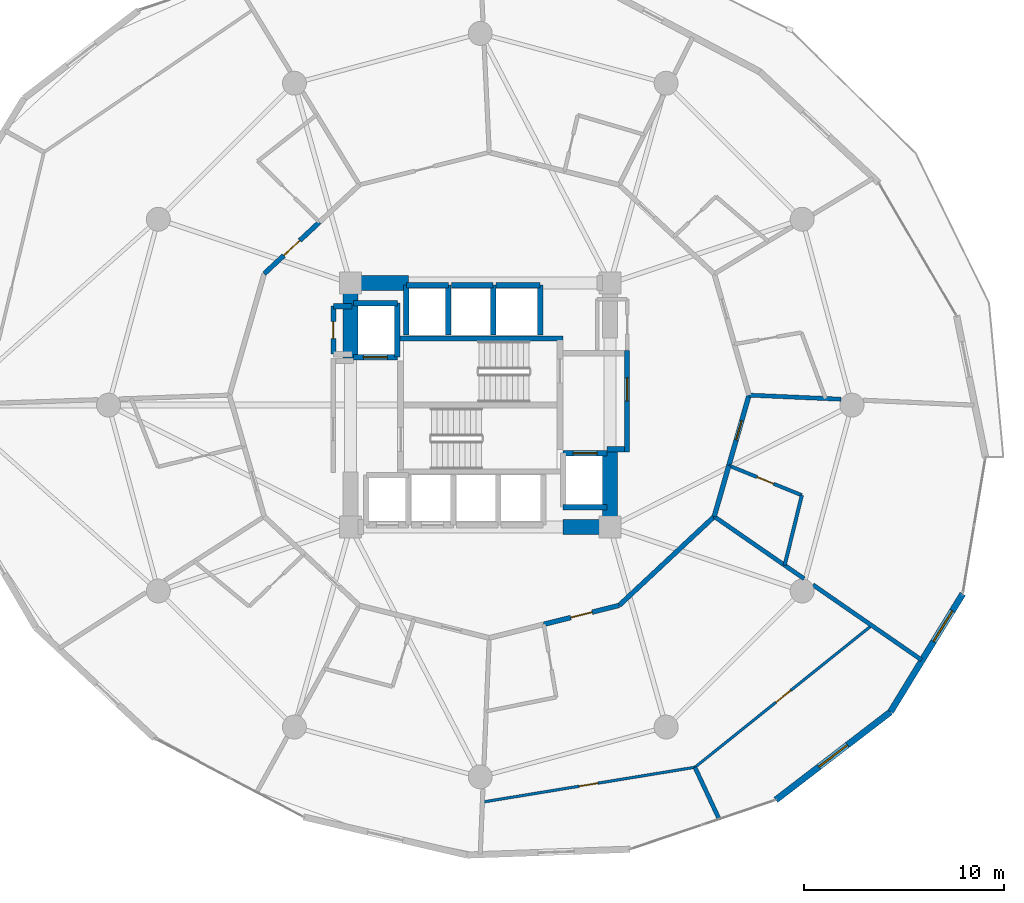
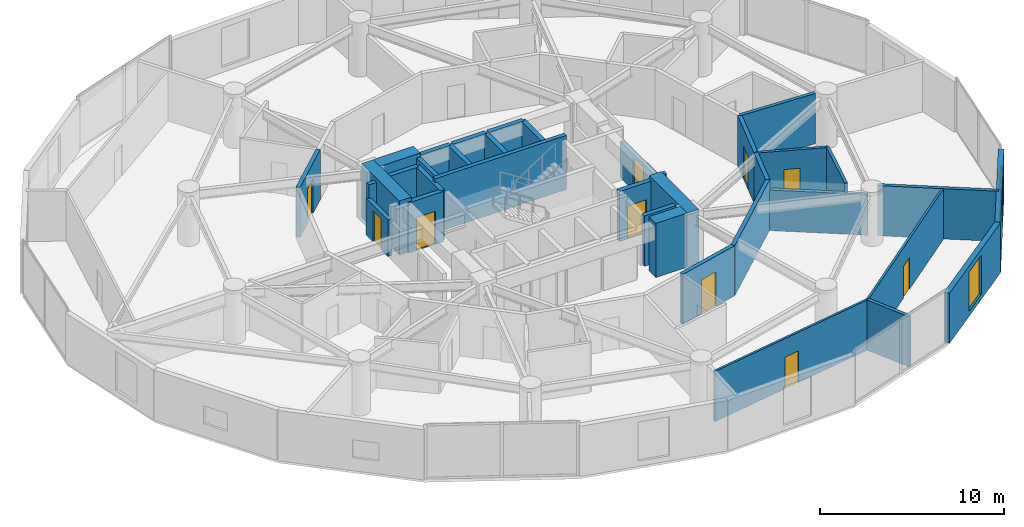
# One storey, part 19 of 23: 36 walls, 10 doors, 2 windows, 12 openings.
"""IFC4 building model written with IfcOpenShell, lengths in metres."""

from ifc_helpers import new_model, si_unit, direction, frame, frame_2d, origin, place, context, subcontext, project, spatial, rectangle, extrude, material, layer, layer_set, type_object, element, fill, save


model = new_model("IFC4")

# Units and contexts
model_context = context("Model", 3, precision=1e-05, world=origin(), true_north=direction((0.0, 1.0)))
body_context = subcontext(model_context, "Body", "Model", "MODEL_VIEW")
ifc_project = project(units=[si_unit("LENGTHUNIT", "METRE"), si_unit("AREAUNIT", "SQUARE_METRE"), si_unit("VOLUMEUNIT", "CUBIC_METRE"), si_unit("PLANEANGLEUNIT", "RADIAN"), si_unit("MASSUNIT", "GRAM", prefix="KILO")], contexts=[model_context])

# Site, building, storey
site_placement = place(None, origin())
site = spatial("IfcSite", under=ifc_project, at=site_placement, CompositionType="ELEMENT")
building_placement = place(site_placement, origin())
building = spatial("IfcBuilding", under=site, at=building_placement, Name="Solvirekh Grand Hotel", CompositionType="ELEMENT")
storey_placement = place(building_placement, frame((0.0, 0.0, 75.199951171875)))
storey = spatial("IfcBuildingStorey", under=building, at=storey_placement, Name="L18", CompositionType="ELEMENT", Elevation=75.199951171875)

# Walls
ifc_material_1 = material(Name="Concrete C50/60", Category="concrete")
ifc_layer_1 = layer(ifc_material_1, 0.35009765625)
ifc_layer_set_1 = layer_set([ifc_layer_1], Name="Concrete C50/60")
wall_type_1 = type_object("IfcWallType", Name="CoreDivWall_RC350", PredefinedType="SOLIDWALL", material=ifc_layer_set_1)
wall_1_placement = place(storey_placement, frame((-4.1298828125, 3.324951171875, 0.0), z_axis=(0.0, 0.0, 1.0), x_axis=(1.0, 0.0, 0.0)))
element("IfcWall", 1, at=wall_1_placement, inside=storey, type_object=wall_type_1, Name="L18 core stair box wall ST-N", PredefinedType="SOLIDWALL", context=body_context, shape_type="SweptSolid", body=[
    extrude(rectangle(XDim=8.259765625, YDim=0.25, at=frame_2d((4.1298828125, 0.0))), origin(), (0.0, 0.0, 1.0), 3.60009765625),
])
ifc_material_2 = material(Name="Concrete C40/50", Category="concrete")
ifc_layer_2 = layer(ifc_material_2, 0.280029296875)
ifc_layer_set_2 = layer_set([ifc_layer_2], Name="Concrete C40/50")
wall_type_2 = type_object("IfcWallType", Name="CoreShaftWall_RC280", PredefinedType="SOLIDWALL", material=ifc_layer_set_2)
wall_2_placement = place(storey_placement, frame((-1.60009765625, 6.0, 0.0), z_axis=(0.0, 0.0, 1.0), x_axis=(-1.0, 0.0, 0.0)))
element("IfcWall", 2, at=wall_2_placement, inside=storey, type_object=wall_type_2, Name="L18 HP-1 hoistway N wall", PredefinedType="SOLIDWALL", context=body_context, shape_type="SweptSolid", body=[
    extrude(rectangle(XDim=2.099853515625, YDim=0.280029296875, at=frame_2d((1.0498046875, 0.0))), origin(), (0.0, 0.0, 1.0), 3.340087890625),
])
for number, where, z_axis, x_axis, name in (
    (3, (-3.699951171875, 6.0, 0.0), (0.0, 0.0, 1.0), (0.0, -1.0, 0.0), "L18 HP-1 hoistway W wall"),
    (4, (-1.60009765625, 3.5, 0.0), (0.0, 0.0, 1.0), (0.0, 1.0, 0.0), "L18 HP-1 hoistway E wall"),
):
    element("IfcWall", number, at=place(storey_placement, frame(where, z_axis=z_axis, x_axis=x_axis)), inside=storey, type_object=wall_type_2, Name=name, PredefinedType="SOLIDWALL", context=body_context, shape_type="SweptSolid", body=[
        extrude(rectangle(XDim=2.5, YDim=0.280029296875, at=frame_2d((1.25, 0.0))), origin(), (0.0, 0.0, 1.0), 3.340087890625),
    ])
wall_3_placement = place(storey_placement, frame((0.64990234375, 6.0, 0.0), z_axis=(0.0, 0.0, 1.0), x_axis=(-1.0, 0.0, 0.0)))
element("IfcWall", 5, at=wall_3_placement, inside=storey, type_object=wall_type_2, Name="L18 HP-2 hoistway N wall", PredefinedType="SOLIDWALL", context=body_context, shape_type="SweptSolid", body=[
    extrude(rectangle(XDim=2.099853515625, YDim=0.280029296875, at=frame_2d((1.0498046875, 0.0))), origin(), (0.0, 0.0, 1.0), 3.340087890625),
])
wall_4_placement = place(storey_placement, frame((0.64990234375, 3.5, 0.0), z_axis=(0.0, 0.0, 1.0), x_axis=(0.0, 1.0, 0.0)))
element("IfcWall", 6, at=wall_4_placement, inside=storey, type_object=wall_type_2, Name="L18 HP-2 hoistway E wall", PredefinedType="SOLIDWALL", context=body_context, shape_type="SweptSolid", body=[
    extrude(rectangle(XDim=2.5, YDim=0.280029296875, at=frame_2d((1.25, 0.0))), origin(), (0.0, 0.0, 1.0), 3.340087890625),
])
wall_5_placement = place(storey_placement, frame((3.0, 6.0, 0.0), z_axis=(0.0, 0.0, 1.0), x_axis=(-1.0, 0.0, 0.0)))
element("IfcWall", 7, at=wall_5_placement, inside=storey, type_object=wall_type_2, Name="L18 EX-1 hoistway N wall", PredefinedType="SOLIDWALL", context=body_context, shape_type="SweptSolid", body=[
    extrude(rectangle(XDim=2.199951171875, YDim=0.280029296875, at=frame_2d((1.10009765625, 0.0))), origin(), (0.0, 0.0, 1.0), 3.340087890625),
])
wall_6_placement = place(storey_placement, frame((3.0, 3.5, 0.0), z_axis=(0.0, 0.0, 1.0), x_axis=(0.0, 1.0, 0.0)))
element("IfcWall", 8, at=wall_6_placement, inside=storey, type_object=wall_type_2, Name="L18 EX-1 hoistway E wall", PredefinedType="SOLIDWALL", context=body_context, shape_type="SweptSolid", body=[
    extrude(rectangle(XDim=2.5, YDim=0.280029296875, at=frame_2d((1.25, 0.0))), origin(), (0.0, 0.0, 1.0), 3.340087890625),
])

# Wall, opening, door
wall_7_placement = place(storey_placement, frame((-6.35009765625, 2.39990234375, 0.0), z_axis=(0.0, 0.0, 1.0), x_axis=(1.0, 0.0, 0.0)))
wall_7 = element("IfcWall", 9, at=wall_7_placement, inside=storey, type_object=wall_type_2, Name="L18 FL-1 hoistway S wall", PredefinedType="SOLIDWALL", context=body_context, shape_type="SweptSolid", body=[
    extrude(rectangle(XDim=2.2001953125, YDim=0.280029296875, at=frame_2d((1.10009765625, 0.0))), origin(), (0.0, 0.0, 1.0), 3.340087890625),
])
opening_1_placement = place(wall_7_placement, frame((0.5, 0.0, 0.0)))
opening_1 = element("IfcOpeningElement", 10, at=opening_1_placement, cuts=wall_7, Name="Opening LD02", PredefinedType="OPENING", context=body_context, shape_type="SweptSolid", body=[
    extrude(rectangle(XDim=1.199951171875, YDim=2.199951171875, at=frame_2d((0.60009765625, 1.10009765625))), frame((0.0, 0.14990234375, 0.0), z_axis=(0.0, -1.0, 0.0), x_axis=(1.0, 0.0, 0.0)), (0.0, 0.0, 1.0), 0.300048828125),
])
ifc_material_3 = material(Name="Fire-Rated Steel Door Assembly", Category="steel")
door_type_1 = type_object("IfcDoorType", Name="Door_LiftFF_1200X2200", OperationType="SLIDING_TO_LEFT", PredefinedType="DOOR", material=ifc_material_3)
door_1_placement = place(opening_1_placement, origin())
door_1 = element("IfcDoor", 11, at=door_1_placement, inside=storey, type_object=door_type_1, Name="L18 FL-1 sliding lift landing door", OperationType="SLIDING_TO_LEFT", OverallHeight=2.199951171875, OverallWidth=1.199951171875, PredefinedType="DOOR", context=body_context, shape_type="SweptSolid", body=[
    extrude(rectangle(XDim=1.199951171875, YDim=2.199951171875, at=frame_2d((0.60009765625, 1.10009765625))), frame((0.0, 0.02490234375, 0.0), z_axis=(0.0, -1.0, 0.0), x_axis=(1.0, 0.0, 0.0)), (0.0, 0.0, 1.0), 0.050048828125),
])
fill(opening_1, door_1)

# Walls
wall_8_placement = place(storey_placement, frame((-4.14990234375, 5.10009765625, 0.0), z_axis=(0.0, 0.0, 1.0), x_axis=(-1.0, 0.0, 0.0)))
element("IfcWall", 12, at=wall_8_placement, inside=storey, type_object=wall_type_2, Name="L18 FL-1 hoistway N wall", PredefinedType="SOLIDWALL", context=body_context, shape_type="SweptSolid", body=[
    extrude(rectangle(XDim=2.2001953125, YDim=0.280029296875, at=frame_2d((1.10009765625, 0.0))), origin(), (0.0, 0.0, 1.0), 3.340087890625),
])
wall_9_placement = place(storey_placement, frame((-4.14990234375, 2.39990234375, 0.0), z_axis=(0.0, 0.0, 1.0), x_axis=(0.0, 1.0, 0.0)))
element("IfcWall", 13, at=wall_9_placement, inside=storey, type_object=wall_type_2, Name="L18 FL-1 hoistway E wall", PredefinedType="SOLIDWALL", context=body_context, shape_type="SweptSolid", body=[
    extrude(rectangle(XDim=2.7001953125, YDim=0.280029296875, at=frame_2d((1.35009765625, 0.0))), origin(), (0.0, 0.0, 1.0), 3.340087890625),
])
wall_10_placement = place(storey_placement, frame((4.14990234375, -5.10009765625, 0.0), z_axis=(0.0, 0.0, 1.0), x_axis=(1.0, 0.0, 0.0)))
element("IfcWall", 14, at=wall_10_placement, inside=storey, type_object=wall_type_2, Name="L18 FL-2 hoistway S wall", PredefinedType="SOLIDWALL", context=body_context, shape_type="SweptSolid", body=[
    extrude(rectangle(XDim=2.2001953125, YDim=0.280029296875, at=frame_2d((1.10009765625, 0.0))), origin(), (0.0, 0.0, 1.0), 3.340087890625),
])

# Wall, opening, door
wall_11_placement = place(storey_placement, frame((6.35009765625, -2.39990234375, 0.0), z_axis=(0.0, 0.0, 1.0), x_axis=(-1.0, 0.0, 0.0)))
wall_11 = element("IfcWall", 15, at=wall_11_placement, inside=storey, type_object=wall_type_2, Name="L18 FL-2 hoistway N wall", PredefinedType="SOLIDWALL", context=body_context, shape_type="SweptSolid", body=[
    extrude(rectangle(XDim=2.2001953125, YDim=0.280029296875, at=frame_2d((1.10009765625, 0.0))), origin(), (0.0, 0.0, 1.0), 3.340087890625),
])
opening_2_placement = place(wall_11_placement, frame((0.5, 0.0, 0.0)))
opening_2 = element("IfcOpeningElement", 16, at=opening_2_placement, cuts=wall_11, Name="Opening LD02", PredefinedType="OPENING", context=body_context, shape_type="SweptSolid", body=[
    extrude(rectangle(XDim=1.199951171875, YDim=2.199951171875, at=frame_2d((0.60009765625, 1.10009765625))), frame((0.0, 0.14990234375, 0.0), z_axis=(0.0, -1.0, 0.0), x_axis=(1.0, 0.0, 0.0)), (0.0, 0.0, 1.0), 0.300048828125),
])
door_2_placement = place(opening_2_placement, origin())
door_2 = element("IfcDoor", 17, at=door_2_placement, inside=storey, type_object=door_type_1, Name="L18 FL-2 sliding lift landing door", OperationType="SLIDING_TO_LEFT", OverallHeight=2.199951171875, OverallWidth=1.199951171875, PredefinedType="DOOR", context=body_context, shape_type="SweptSolid", body=[
    extrude(rectangle(XDim=1.199951171875, YDim=2.199951171875, at=frame_2d((0.60009765625, 1.10009765625))), frame((0.0, 0.02490234375, 0.0), z_axis=(0.0, -1.0, 0.0), x_axis=(1.0, 0.0, 0.0)), (0.0, 0.0, 1.0), 0.050048828125),
])
fill(opening_2, door_2)

# Walls
ifc_material_4 = material(Name="Concrete C60/75", Category="concrete")
ifc_layer_3 = layer(ifc_material_4, 0.75)
ifc_layer_set_3 = layer_set([ifc_layer_3], Name="Concrete C60/75")
wall_type_3 = type_object("IfcWallType", Name="CoreWall_RC750", PredefinedType="SHEAR", material=ifc_layer_set_3)
wall_12_placement = place(storey_placement, frame((4.14990234375, -6.10009765625, 0.0), z_axis=(0.0, 0.0, 1.0), x_axis=(1.0, 0.0, 0.0)))
element("IfcWall", 18, at=wall_12_placement, inside=storey, type_object=wall_type_3, Name="L18 core corner shear wall SE-S", PredefinedType="SHEAR", context=body_context, shape_type="SweptSolid", body=[
    extrude(rectangle(XDim=1.97509765625, YDim=0.75, at=frame_2d((0.987548828125, 0.0))), origin(), (0.0, 0.0, 1.0), 3.60009765625),
])
wall_13_placement = place(storey_placement, frame((-6.125, 6.10009765625, 0.0), z_axis=(0.0, 0.0, 1.0), x_axis=(1.0, 0.0, 0.0)))
element("IfcWall", 19, at=wall_13_placement, inside=storey, type_object=wall_type_3, Name="L18 core corner shear wall NW-N", PredefinedType="SHEAR", context=body_context, shape_type="SweptSolid", body=[
    extrude(rectangle(XDim=2.52490234375, YDim=0.75, at=frame_2d((1.262451171875, 0.0))), origin(), (0.0, 0.0, 1.0), 3.60009765625),
])
for number, where, z_axis, x_axis, name in (
    (20, (-6.5, 2.35009765625, 0.0), (0.0, 0.0, 1.0), (0.0, 1.0, 0.0), "L18 core corner shear wall WN-W"),
    (21, (6.5, -6.47509765625, 0.0), (0.0, 0.0, 1.0), (0.0, 1.0, 0.0), "L18 core corner shear wall ES-E"),
):
    element("IfcWall", number, at=place(storey_placement, frame(where, z_axis=z_axis, x_axis=x_axis)), inside=storey, type_object=wall_type_3, Name=name, PredefinedType="SHEAR", context=body_context, shape_type="SweptSolid", body=[
        extrude(rectangle(XDim=4.125, YDim=0.75, at=frame_2d((2.0625, 0.0))), origin(), (0.0, 0.0, 1.0), 3.60009765625),
    ])

# Wall, opening, window
ifc_material_5 = material(Name="Precast concrete C45/55", Category="concrete")
ifc_layer_4 = layer(ifc_material_5, 0.320068359375)
ifc_layer_set_4 = layer_set([ifc_layer_4], Name="Precast concrete C45/55")
wall_type_4 = type_object("IfcWallType", Name="ExtLobbyWall_RC320", PredefinedType="SOLIDWALL", material=ifc_layer_set_4)
wall_14_placement = place(storey_placement, frame((20.527099609375, -15.35302734375, 0.0), z_axis=(0.0, 0.0, 1.0), x_axis=(-0.793329795388, -0.608792112095, 0.0)))
wall_14 = element("IfcWall", 22, at=wall_14_placement, inside=storey, type_object=wall_type_4, Name="L18 exterior structural wall chord 19", PredefinedType="SOLIDWALL", context=body_context, shape_type="SweptSolid", body=[
    extrude(rectangle(XDim=7.234130859375, YDim=0.320068359375, at=frame_2d((3.6171875, 0.0))), origin(), (0.0, 0.0, 1.0), 3.340087890625),
])
opening_3_placement = place(wall_14_placement, frame((2.717041015625, 0.0, 0.35009765625)))
opening_3 = element("IfcOpeningElement", 23, at=opening_3_placement, cuts=wall_14, Name="Opening W02", PredefinedType="OPENING", context=body_context, shape_type="SweptSolid", body=[
    extrude(rectangle(XDim=1.800048828125, YDim=2.60009765625, at=frame_2d((0.89990234375, 1.300048828125))), frame((0.0, 0.169921875, 0.0), z_axis=(0.0, -1.0, 0.0), x_axis=(1.0, 0.0, 0.0)), (0.0, 0.0, 1.0), 0.340087890625),
])
ifc_material_6 = material(Name="Low-E Tinted Bronze Laminated Glass", Category="aluminium")
window_type = type_object("IfcWindowType", Name="Win_LobbyExt_1800X2600", PartitioningType="SINGLE_PANEL", PredefinedType="WINDOW", material=ifc_material_6)
window_1_placement = place(opening_3_placement, origin())
window_1 = element("IfcWindow", 24, at=window_1_placement, inside=storey, type_object=window_type, Name="L18 panoramic bronze-framed window 19", OverallHeight=2.60009765625, OverallWidth=1.800048828125, PartitioningType="SINGLE_PANEL", PredefinedType="WINDOW", context=body_context, shape_type="SweptSolid", body=[
    extrude(rectangle(XDim=1.800048828125, YDim=2.60009765625, at=frame_2d((0.89990234375, 1.300048828125))), frame((0.0, 0.030029296875, 0.0), z_axis=(0.0, -1.0, 0.0), x_axis=(1.0, 0.0, 0.0)), (0.0, 0.0, 1.0), 0.06005859375),
])
fill(opening_3, window_1)

wall_15_placement = place(storey_placement, frame((24.14306640625, -9.447021484375, 0.0), z_axis=(0.0, 0.0, 1.0), x_axis=(-0.522158569524, -0.852848420455, 0.0)))
wall_15 = element("IfcWall", 25, at=wall_15_placement, inside=storey, type_object=wall_type_4, Name="L18 exterior structural wall chord 20", PredefinedType="SOLIDWALL", context=body_context, shape_type="SweptSolid", body=[
    extrude(rectangle(XDim=6.925048828125, YDim=0.320068359375, at=frame_2d((3.46240234375, 0.0))), origin(), (0.0, 0.0, 1.0), 3.340087890625),
])
opening_4_placement = place(wall_15_placement, frame((0.99609375, 0.0, 0.35009765625)))
opening_4 = element("IfcOpeningElement", 26, at=opening_4_placement, cuts=wall_15, Name="Opening W02", PredefinedType="OPENING", context=body_context, shape_type="SweptSolid", body=[
    extrude(rectangle(XDim=1.800048828125, YDim=2.60009765625, at=frame_2d((0.89990234375, 1.300048828125))), frame((0.0, 0.169921875, 0.0), z_axis=(0.0, -1.0, 0.0), x_axis=(1.0, 0.0, 0.0)), (0.0, 0.0, 1.0), 0.340087890625),
])
window_2_placement = place(opening_4_placement, origin())
window_2 = element("IfcWindow", 27, at=window_2_placement, inside=storey, type_object=window_type, Name="L18 panoramic bronze-framed window 20", OverallHeight=2.60009765625, OverallWidth=1.800048828125, PartitioningType="SINGLE_PANEL", PredefinedType="WINDOW", context=body_context, shape_type="SweptSolid", body=[
    extrude(rectangle(XDim=1.800048828125, YDim=2.60009765625, at=frame_2d((0.89990234375, 1.300048828125))), frame((0.0, 0.030029296875, 0.0), z_axis=(0.0, -1.0, 0.0), x_axis=(1.0, 0.0, 0.0)), (0.0, 0.0, 1.0), 0.06005859375),
])
fill(opening_4, window_2)

# Wall, opening, door
ifc_material_7 = material(Name="Acoustic Gypsum Partition Assembly")
ifc_layer_5 = layer(ifc_material_7, 0.239990234375)
ifc_layer_set_5 = layer_set([ifc_layer_5], Name="Acoustic Gypsum Partition Assembly")
wall_type_5 = type_object("IfcWallType", Name="Part_Corridor_240", PredefinedType="PARTITIONING", material=ifc_layer_set_5)
wall_16_placement = place(storey_placement, frame((7.35009765625, -2.340087890625, 0.0), z_axis=(0.0, 0.0, 1.0), x_axis=(0.0, 1.0, 0.0)))
wall_16 = element("IfcWall", 28, at=wall_16_placement, inside=storey, type_object=wall_type_5, Name="L18 east firefighting lobby smoke screen wall", PredefinedType="PARTITIONING", context=body_context, shape_type="SweptSolid", body=[
    extrude(rectangle(XDim=5.070068359375, YDim=0.239990234375, at=frame_2d((2.53515625, 0.0))), origin(), (0.0, 0.0, 1.0), 2.425048828125),
])
opening_5_placement = place(wall_16_placement, frame((2.548095703125, 0.0, 0.0)))
opening_5 = element("IfcOpeningElement", 29, at=opening_5_placement, cuts=wall_16, Name="Opening D06", PredefinedType="OPENING", context=body_context, shape_type="SweptSolid", body=[
    extrude(rectangle(XDim=1.14990234375, YDim=2.199951171875, at=frame_2d((0.574951171875, 1.10009765625))), frame((0.0, 0.1298828125, 0.0), z_axis=(0.0, -1.0, 0.0), x_axis=(1.0, 0.0, 0.0)), (0.0, 0.0, 1.0), 0.260009765625),
])
door_type_2 = type_object("IfcDoorType", Name="Door_FFLobby_1150X2200", OperationType="NOTDEFINED", PredefinedType="DOOR", material=ifc_material_3)
door_3_placement = place(opening_5_placement, origin())
door_3 = element("IfcDoor", 30, at=door_3_placement, inside=storey, type_object=door_type_2, Name="L18 east firefighting lobby smoke door", OperationType="SINGLE_SWING_RIGHT", OverallHeight=2.199951171875, OverallWidth=1.14990234375, PredefinedType="DOOR", context=body_context, shape_type="SweptSolid", body=[
    extrude(rectangle(XDim=1.14990234375, YDim=2.199951171875, at=frame_2d((0.574951171875, 1.10009765625))), frame((0.0, 0.02490234375, 0.0), z_axis=(0.0, -1.0, 0.0), x_axis=(1.0, 0.0, 0.0)), (0.0, 0.0, 1.0), 0.050048828125),
])
fill(opening_5, door_3)

wall_17_placement = place(storey_placement, frame((-8.048095703125, 9.154052734375, 0.0), z_axis=(0.0, 0.0, 1.0), x_axis=(-0.73064678366, -0.682755649941, 0.0)))
wall_17 = element("IfcWall", 31, at=wall_17_placement, inside=storey, type_object=wall_type_5, Name="L18 Executive Suite 2001 Living Room entrance wall", PredefinedType="PARTITIONING", context=body_context, shape_type="SweptSolid", body=[
    extrude(rectangle(XDim=3.777587890625, YDim=0.239990234375, at=frame_2d((1.888671875, 0.0))), origin(), (0.0, 0.0, 1.0), 3.340087890625),
])
opening_6_placement = place(wall_17_placement, frame((1.339111328125, 0.0, 0.0)))
opening_6 = element("IfcOpeningElement", 32, at=opening_6_placement, cuts=wall_17, Name="Opening D08", PredefinedType="OPENING", context=body_context, shape_type="SweptSolid", body=[
    extrude(rectangle(XDim=1.10009765625, YDim=2.300048828125, at=frame_2d((0.550048828125, 1.14990234375))), frame((0.0, 0.1298828125, 0.0), z_axis=(0.0, -1.0, 0.0), x_axis=(1.0, 0.0, 0.0)), (0.0, 0.0, 1.0), 0.260009765625),
])
door_type_3 = type_object("IfcDoorType", Name="Door_SuiteEntry_1100X2300", OperationType="NOTDEFINED", PredefinedType="DOOR", material=ifc_material_3)
door_4_placement = place(opening_6_placement, origin())
door_4 = element("IfcDoor", 33, at=door_4_placement, inside=storey, type_object=door_type_3, Name="L18 Executive Suite 2001 Living Room entrance door", OperationType="SINGLE_SWING_RIGHT", OverallHeight=2.300048828125, OverallWidth=1.10009765625, PredefinedType="DOOR", context=body_context, shape_type="SweptSolid", body=[
    extrude(rectangle(XDim=1.10009765625, YDim=2.300048828125, at=frame_2d((0.550048828125, 1.14990234375))), frame((0.0, 0.02490234375, 0.0), z_axis=(0.0, -1.0, 0.0), x_axis=(1.0, 0.0, 0.0)), (0.0, 0.0, 1.0), 0.050048828125),
])
fill(opening_6, door_4)

# Wall
wall_18_placement = place(storey_placement, frame((6.949951171875, -10.02197265625, 0.0), z_axis=(0.0, 0.0, 1.0), x_axis=(0.730582633102, 0.682824293804, 0.0)))
element("IfcWall", 34, at=wall_18_placement, inside=storey, type_object=wall_type_5, Name="L18 Executive Suite 2005 Living Room corridor wall 1", PredefinedType="PARTITIONING", context=body_context, shape_type="SweptSolid", body=[
    extrude(rectangle(XDim=6.5126953125, YDim=0.239990234375, at=frame_2d((3.25634765625, 0.0))), origin(), (0.0, 0.0, 1.0), 3.340087890625),
])

# Wall, opening, door
wall_19_placement = place(storey_placement, frame((3.179931640625, -10.966064453125, 0.0), z_axis=(0.0, 0.0, 1.0), x_axis=(0.970046348371, 0.242919908636, 0.0)))
wall_19 = element("IfcWall", 35, at=wall_19_placement, inside=storey, type_object=wall_type_5, Name="L18 Executive Suite 2005 Living Room entrance wall", PredefinedType="PARTITIONING", context=body_context, shape_type="SweptSolid", body=[
    extrude(rectangle(XDim=3.886474609375, YDim=0.239990234375, at=frame_2d((1.943359375, 0.0))), origin(), (0.0, 0.0, 1.0), 3.340087890625),
])
opening_7_placement = place(wall_19_placement, frame((1.39306640625, 0.0, 0.0)))
opening_7 = element("IfcOpeningElement", 36, at=opening_7_placement, cuts=wall_19, Name="Opening D08", PredefinedType="OPENING", context=body_context, shape_type="SweptSolid", body=[
    extrude(rectangle(XDim=1.10009765625, YDim=2.300048828125, at=frame_2d((0.550048828125, 1.14990234375))), frame((0.0, 0.1298828125, 0.0), z_axis=(0.0, -1.0, 0.0), x_axis=(1.0, 0.0, 0.0)), (0.0, 0.0, 1.0), 0.260009765625),
])
door_5_placement = place(opening_7_placement, origin())
door_5 = element("IfcDoor", 37, at=door_5_placement, inside=storey, type_object=door_type_3, Name="L18 Executive Suite 2005 Living Room entrance door", OperationType="SINGLE_SWING_RIGHT", OverallHeight=2.300048828125, OverallWidth=1.10009765625, PredefinedType="DOOR", context=body_context, shape_type="SweptSolid", body=[
    extrude(rectangle(XDim=1.10009765625, YDim=2.300048828125, at=frame_2d((0.550048828125, 1.14990234375))), frame((0.0, 0.02490234375, 0.0), z_axis=(0.0, -1.0, 0.0), x_axis=(1.0, 0.0, 0.0)), (0.0, 0.0, 1.0), 0.050048828125),
])
fill(opening_7, door_5)

# Wall
wall_20_placement = place(storey_placement, frame((11.7080078125, -5.574951171875, 0.0), z_axis=(0.0, 0.0, 1.0), x_axis=(0.275790140823, 0.961217872402, 0.0)))
element("IfcWall", 38, at=wall_20_placement, inside=storey, type_object=wall_type_5, Name="L18 En-suite Bathroom 2006 corridor backing wall", PredefinedType="PARTITIONING", context=body_context, shape_type="SweptSolid", body=[
    extrude(rectangle(XDim=2.654052734375, YDim=0.239990234375, at=frame_2d((1.3271484375, 0.0))), origin(), (0.0, 0.0, 1.0), 3.340087890625),
])

# Wall, opening, door
wall_21_placement = place(storey_placement, frame((12.43994140625, -3.02392578125, 0.0), z_axis=(0.0, 0.0, 1.0), x_axis=(0.275521481409, 0.961294914832, 0.0)))
wall_21 = element("IfcWall", 39, at=wall_21_placement, inside=storey, type_object=wall_type_5, Name="L18 Deluxe Guestroom 2006 entrance wall", PredefinedType="PARTITIONING", context=body_context, shape_type="SweptSolid", body=[
    extrude(rectangle(XDim=3.665771484375, YDim=0.239990234375, at=frame_2d((1.8330078125, 0.0))), origin(), (0.0, 0.0, 1.0), 3.340087890625),
])
opening_8_placement = place(wall_21_placement, frame((1.3330078125, 0.0, 0.0)))
opening_8 = element("IfcOpeningElement", 40, at=opening_8_placement, cuts=wall_21, Name="Opening D07", PredefinedType="OPENING", context=body_context, shape_type="SweptSolid", body=[
    extrude(rectangle(XDim=1.0, YDim=2.199951171875, at=frame_2d((0.5, 1.10009765625))), frame((0.0, 0.1298828125, 0.0), z_axis=(0.0, -1.0, 0.0), x_axis=(1.0, 0.0, 0.0)), (0.0, 0.0, 1.0), 0.260009765625),
])
door_type_4 = type_object("IfcDoorType", Name="Door_GuestEntry_1000X2200", OperationType="NOTDEFINED", PredefinedType="DOOR", material=ifc_material_3)
door_6_placement = place(opening_8_placement, origin())
door_6 = element("IfcDoor", 41, at=door_6_placement, inside=storey, type_object=door_type_4, Name="L18 Deluxe Guestroom 2006 entrance door", OperationType="SINGLE_SWING_RIGHT", OverallHeight=2.199951171875, OverallWidth=1.0, PredefinedType="DOOR", context=body_context, shape_type="SweptSolid", body=[
    extrude(rectangle(XDim=1.0, YDim=2.199951171875, at=frame_2d((0.5, 1.10009765625))), frame((0.0, 0.02490234375, 0.0), z_axis=(0.0, -1.0, 0.0), x_axis=(1.0, 0.0, 0.0)), (0.0, 0.0, 1.0), 0.050048828125),
])
fill(opening_8, door_6)

# Walls
ifc_layer_6 = layer(ifc_material_7, 0.260009765625)
ifc_layer_set_6 = layer_set([ifc_layer_6], Name="Acoustic Gypsum Partition Assembly")
wall_type_6 = type_object("IfcWallType", Name="Part_LobbyFF_260", PredefinedType="PARTITIONING", material=ifc_layer_set_6)
wall_22_placement = place(storey_placement, frame((6.35009765625, -2.2099609375, 0.0), z_axis=(0.0, 0.0, 1.0), x_axis=(1.0, 0.0, 0.0)))
element("IfcWall", 42, at=wall_22_placement, inside=storey, type_object=wall_type_6, Name="L18 east firefighting lobby SE cheek", PredefinedType="PARTITIONING", context=body_context, shape_type="SweptSolid", body=[
    extrude(rectangle(XDim=0.875, YDim=0.260009765625, at=frame_2d((0.4375, 0.0))), origin(), (0.0, 0.0, 1.0), 3.340087890625),
])
wall_23_placement = place(storey_placement, frame((-7.35009765625, 4.949951171875, 0.0), z_axis=(0.0, 0.0, 1.0), x_axis=(1.0, 0.0, 0.0)))
element("IfcWall", 43, at=wall_23_placement, inside=storey, type_object=wall_type_6, Name="L18 NW telecom metering cupboard north wall", PredefinedType="PARTITIONING", context=body_context, shape_type="SweptSolid", body=[
    extrude(rectangle(XDim=0.93017578125, YDim=0.260009765625, at=frame_2d((0.465087890625, 0.0))), origin(), (0.0, 0.0, 1.0), 3.340087890625),
])

# Wall, opening, door
wall_24_placement = place(storey_placement, frame((-7.35009765625, 2.550048828125, 0.0), z_axis=(0.0, 0.0, 1.0), x_axis=(0.0, 1.0, 0.0)))
wall_24 = element("IfcWall", 44, at=wall_24_placement, inside=storey, type_object=wall_type_6, Name="L18 NW telecom metering cupboard access wall", PredefinedType="PARTITIONING", context=body_context, shape_type="SweptSolid", body=[
    extrude(rectangle(XDim=2.39990234375, YDim=0.260009765625, at=frame_2d((1.199951171875, 0.0))), origin(), (0.0, 0.0, 1.0), 2.425048828125),
])
opening_9_placement = place(wall_24_placement, frame((0.77490234375, 0.0, 0.0)))
opening_9 = element("IfcOpeningElement", 45, at=opening_9_placement, cuts=wall_24, Name="Opening D13", PredefinedType="OPENING", context=body_context, shape_type="SweptSolid", body=[
    extrude(rectangle(XDim=0.85009765625, YDim=2.050048828125, at=frame_2d((0.425048828125, 1.02490234375))), frame((0.0, 0.14013671875, 0.0), z_axis=(0.0, -1.0, 0.0), x_axis=(1.0, 0.0, 0.0)), (0.0, 0.0, 1.0), 0.280029296875),
])
door_type_5 = type_object("IfcDoorType", Name="Door_RiserShaft_850X2050", OperationType="NOTDEFINED", PredefinedType="DOOR", material=ifc_material_3)
door_7_placement = place(opening_9_placement, origin())
door_7 = element("IfcDoor", 46, at=door_7_placement, inside=storey, type_object=door_type_5, Name="L18 telecom metering cupboard access door", OperationType="SINGLE_SWING_LEFT", OverallHeight=2.050048828125, OverallWidth=0.85009765625, PredefinedType="DOOR", context=body_context, shape_type="SweptSolid", body=[
    extrude(rectangle(XDim=0.85009765625, YDim=2.050048828125, at=frame_2d((0.425048828125, 1.02490234375))), frame((0.0, 0.02490234375, 0.0), z_axis=(0.0, -1.0, 0.0), x_axis=(1.0, 0.0, 0.0)), (0.0, 0.0, 1.0), 0.050048828125),
])
fill(opening_9, door_7)

ifc_layer_7 = layer(ifc_material_7, 0.135009765625)
ifc_layer_set_7 = layer_set([ifc_layer_7], Name="Acoustic Gypsum Partition Assembly")
wall_type_7 = type_object("IfcWallType", Name="Part_RoomInt_135", PredefinedType="PARTITIONING", material=ifc_layer_set_7)
wall_25_placement = place(storey_placement, frame((0.10791015625, -19.863037109375, 0.0), z_axis=(0.0, 0.0, 1.0), x_axis=(0.986847521354, 0.161653857356, 0.0)))
wall_25 = element("IfcWall", 47, at=wall_25_placement, inside=storey, type_object=wall_type_7, Name="L18 Executive Suite 2005 Living Room bedroom screen wall", PredefinedType="PARTITIONING", context=body_context, shape_type="SweptSolid", body=[
    extrude(rectangle(XDim=10.77587890625, YDim=0.135009765625, at=frame_2d((5.387939453125, 0.0))), origin(), (0.0, 0.0, 1.0), 3.340087890625),
])
opening_10_placement = place(wall_25_placement, frame((4.9130859375, 0.0, 0.0)))
opening_10 = element("IfcOpeningElement", 48, at=opening_10_placement, cuts=wall_25, Name="Opening D10", PredefinedType="OPENING", context=body_context, shape_type="SweptSolid", body=[
    extrude(rectangle(XDim=0.949951171875, YDim=2.10009765625, at=frame_2d((0.47509765625, 1.050048828125))), frame((0.0, 0.07763671875, 0.0), z_axis=(0.0, -1.0, 0.0), x_axis=(1.0, 0.0, 0.0)), (0.0, 0.0, 1.0), 0.155029296875),
])
ifc_material_8 = material(Name="Anodized Bronze Aluminium 6063-T6", Category="aluminium")
door_type_6 = type_object("IfcDoorType", Name="Door_RoomInt_950X2100", OperationType="NOTDEFINED", PredefinedType="DOOR", material=ifc_material_8)
door_8_placement = place(opening_10_placement, origin())
door_8 = element("IfcDoor", 49, at=door_8_placement, inside=storey, type_object=door_type_6, Name="L18 Executive Suite 2005 Living Room master bedroom door", OperationType="SINGLE_SWING_LEFT", OverallHeight=2.10009765625, OverallWidth=0.949951171875, PredefinedType="DOOR", context=body_context, shape_type="SweptSolid", body=[
    extrude(rectangle(XDim=0.949951171875, YDim=2.10009765625, at=frame_2d((0.47509765625, 1.050048828125))), frame((0.0, 0.02490234375, 0.0), z_axis=(0.0, -1.0, 0.0), x_axis=(1.0, 0.0, 0.0)), (0.0, 0.0, 1.0), 0.050048828125),
])
fill(opening_10, door_8)

wall_26_placement = place(storey_placement, frame((10.741943359375, -18.12109375, 0.0), z_axis=(0.0, 0.0, 1.0), x_axis=(0.780032185097, 0.625739394807, 0.0)))
wall_26 = element("IfcWall", 50, at=wall_26_placement, inside=storey, type_object=wall_type_7, Name="L18 Executive Suite 2005 Panorama Suite Study bedroom screen wall", PredefinedType="PARTITIONING", context=body_context, shape_type="SweptSolid", body=[
    extrude(rectangle(XDim=11.340576171875, YDim=0.135009765625, at=frame_2d((5.67041015625, 0.0))), origin(), (0.0, 0.0, 1.0), 3.340087890625),
])
opening_11_placement = place(wall_26_placement, frame((5.195068359375, 0.0, 0.0)))
opening_11 = element("IfcOpeningElement", 51, at=opening_11_placement, cuts=wall_26, Name="Opening D10", PredefinedType="OPENING", context=body_context, shape_type="SweptSolid", body=[
    extrude(rectangle(XDim=0.949951171875, YDim=2.10009765625, at=frame_2d((0.47509765625, 1.050048828125))), frame((0.0, 0.07763671875, 0.0), z_axis=(0.0, -1.0, 0.0), x_axis=(1.0, 0.0, 0.0)), (0.0, 0.0, 1.0), 0.155029296875),
])
door_9_placement = place(opening_11_placement, origin())
door_9 = element("IfcDoor", 52, at=door_9_placement, inside=storey, type_object=door_type_6, Name="L18 Executive Suite 2005 Panorama Suite Study master bedroom door", OperationType="SINGLE_SWING_RIGHT", OverallHeight=2.10009765625, OverallWidth=0.949951171875, PredefinedType="DOOR", context=body_context, shape_type="SweptSolid", body=[
    extrude(rectangle(XDim=0.949951171875, YDim=2.10009765625, at=frame_2d((0.47509765625, 1.050048828125))), frame((0.0, 0.02490234375, 0.0), z_axis=(0.0, -1.0, 0.0), x_axis=(1.0, 0.0, 0.0)), (0.0, 0.0, 1.0), 0.050048828125),
])
fill(opening_11, door_9)

# Walls
ifc_layer_8 = layer(ifc_material_7, 0.2099609375)
ifc_layer_set_8 = layer_set([ifc_layer_8], Name="Acoustic Gypsum Partition Assembly")
wall_type_8 = type_object("IfcWallType", Name="Part_SuiteDemise_210", PredefinedType="PARTITIONING", material=ifc_layer_set_8)
wall_27_placement = place(storey_placement, frame((13.449951171875, 0.5, 0.0), z_axis=(0.0, 0.0, 1.0), x_axis=(0.999019228591, -0.044278447413, 0.0)))
element("IfcWall", 53, at=wall_27_placement, inside=storey, type_object=wall_type_8, Name="L18 suite radial wall 1 (A)", PredefinedType="PARTITIONING", context=body_context, shape_type="SweptSolid", body=[
    extrude(rectangle(XDim=4.609619140625, YDim=0.2099609375, at=frame_2d((2.3046875, 0.0))), origin(), (0.0, 0.0, 1.0), 3.340087890625),
])
wall_28_placement = place(storey_placement, frame((11.7080078125, -5.574951171875, 0.0), z_axis=(0.0, 0.0, 1.0), x_axis=(0.822450672887, -0.568836435777, 0.0)))
element("IfcWall", 54, at=wall_28_placement, inside=storey, type_object=wall_type_8, Name="L18 suite radial wall 12 (A)", PredefinedType="PARTITIONING", context=body_context, shape_type="SweptSolid", body=[
    extrude(rectangle(XDim=5.47265625, YDim=0.2099609375, at=frame_2d((2.736328125, 0.0))), origin(), (0.0, 0.0, 1.0), 2.708984375),
])
wall_29_placement = place(storey_placement, frame((16.64501953125, -8.989013671875, 0.0), z_axis=(0.0, 0.0, 1.0), x_axis=(0.822389116531, -0.568925426581, 0.0)))
element("IfcWall", 55, at=wall_29_placement, inside=storey, type_object=wall_type_8, Name="L18 suite radial wall 12 (B)", PredefinedType="PARTITIONING", context=body_context, shape_type="SweptSolid", body=[
    extrude(rectangle(XDim=6.603759765625, YDim=0.2099609375, at=frame_2d((3.3017578125, 0.0))), origin(), (0.0, 0.0, 1.0), 3.340087890625),
])
wall_30_placement = place(storey_placement, frame((10.741943359375, -18.12109375, 0.0), z_axis=(0.0, 0.0, 1.0), x_axis=(0.423860139743, -0.905727653292, 0.0)))
element("IfcWall", 56, at=wall_30_placement, inside=storey, type_object=wall_type_8, Name="L18 Executive Suite 2005 Living Room dividing partition 1", PredefinedType="PARTITIONING", context=body_context, shape_type="SweptSolid", body=[
    extrude(rectangle(XDim=2.823974609375, YDim=0.2099609375, at=frame_2d((1.412109375, 0.0))), origin(), (0.0, 0.0, 1.0), 3.340087890625),
])
ifc_layer_9 = layer(ifc_material_7, 0.175048828125)
ifc_layer_set_9 = layer_set([ifc_layer_9], Name="Acoustic Gypsum Partition Assembly")
wall_type_9 = type_object("IfcWallType", Name="Plumb_Ensuite_175", PredefinedType="PLUMBINGWALL", material=ifc_layer_set_9)
wall_31_placement = place(storey_placement, frame((15.23291015625, -8.012939453125, 0.0), z_axis=(0.0, 0.0, 1.0), x_axis=(0.238138425117, 0.971231224005, 0.0)))
element("IfcWall", 57, at=wall_31_placement, inside=storey, type_object=wall_type_9, Name="L18 En-suite Bathroom 2006 outer plumbing wall", PredefinedType="PLUMBINGWALL", context=body_context, shape_type="SweptSolid", body=[
    extrude(rectangle(XDim=3.607666015625, YDim=0.175048828125, at=frame_2d((1.8037109375, 0.0))), origin(), (0.0, 0.0, 1.0), 3.340087890625),
])

# Wall, opening, door
wall_32_placement = place(storey_placement, frame((12.43994140625, -3.02392578125, 0.0), z_axis=(0.0, 0.0, 1.0), x_axis=(0.926338988139, -0.376690959613, 0.0)))
wall_32 = element("IfcWall", 58, at=wall_32_placement, inside=storey, type_object=wall_type_9, Name="L18 En-suite Bathroom 2006 entry plumbing wall", PredefinedType="PLUMBINGWALL", context=body_context, shape_type="SweptSolid", body=[
    extrude(rectangle(XDim=3.942626953125, YDim=0.175048828125, at=frame_2d((1.97119140625, 0.0))), origin(), (0.0, 0.0, 1.0), 3.340087890625),
])
opening_12_placement = place(wall_32_placement, frame((1.52099609375, 0.0, 0.0)))
opening_12 = element("IfcOpeningElement", 59, at=opening_12_placement, cuts=wall_32, Name="Opening D09", PredefinedType="OPENING", context=body_context, shape_type="SweptSolid", body=[
    extrude(rectangle(XDim=0.89990234375, YDim=2.10009765625, at=frame_2d((0.449951171875, 1.050048828125))), frame((0.0, 0.09765625, 0.0), z_axis=(0.0, -1.0, 0.0), x_axis=(1.0, 0.0, 0.0)), (0.0, 0.0, 1.0), 0.195068359375),
])
door_type_7 = type_object("IfcDoorType", Name="Door_Ensuite_900X2100", OperationType="NOTDEFINED", PredefinedType="DOOR", material=ifc_material_8)
door_10_placement = place(opening_12_placement, origin())
door_10 = element("IfcDoor", 60, at=door_10_placement, inside=storey, type_object=door_type_7, Name="L18 En-suite Bathroom 2006 door", OperationType="SINGLE_SWING_LEFT", OverallHeight=2.10009765625, OverallWidth=0.89990234375, PredefinedType="DOOR", context=body_context, shape_type="SweptSolid", body=[
    extrude(rectangle(XDim=0.89990234375, YDim=2.10009765625, at=frame_2d((0.449951171875, 1.050048828125))), frame((0.0, 0.02490234375, 0.0), z_axis=(0.0, -1.0, 0.0), x_axis=(1.0, 0.0, 0.0)), (0.0, 0.0, 1.0), 0.050048828125),
])
fill(opening_12, door_10)

save(model, "model.ifc")
